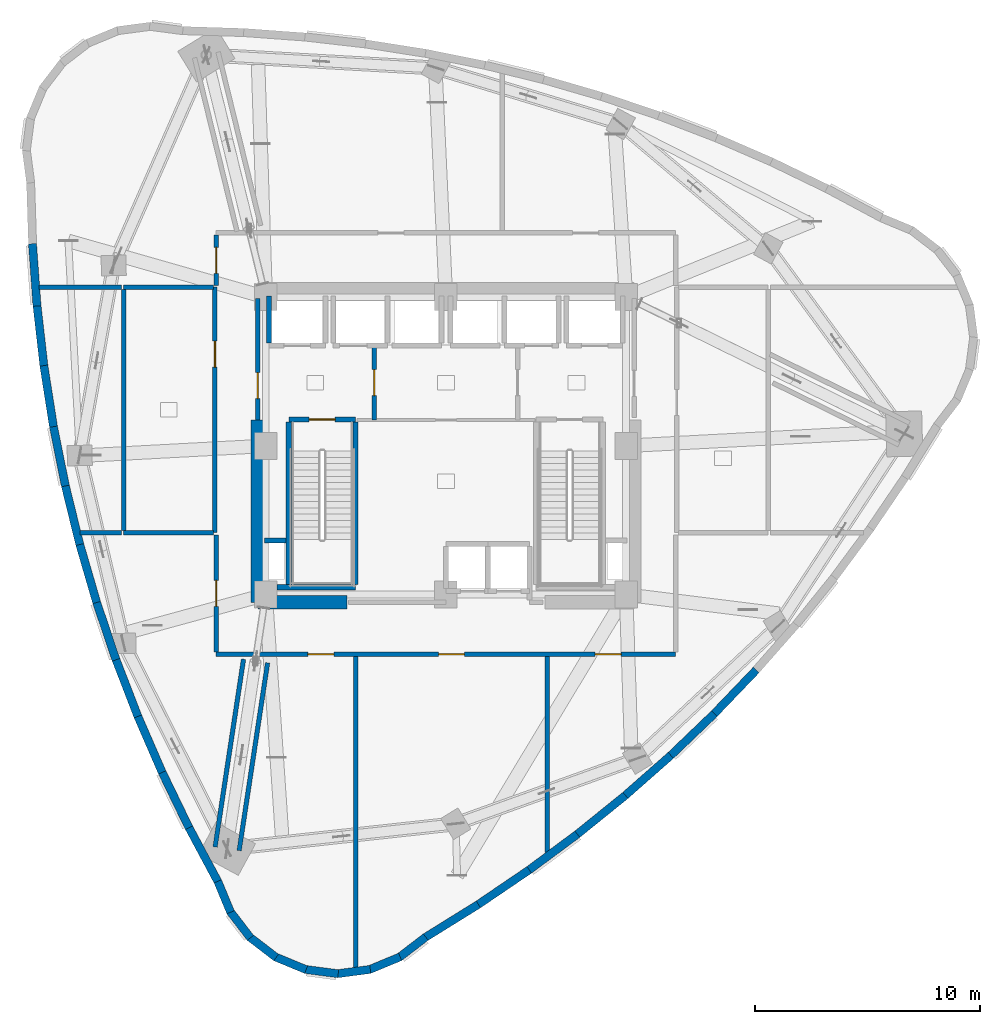
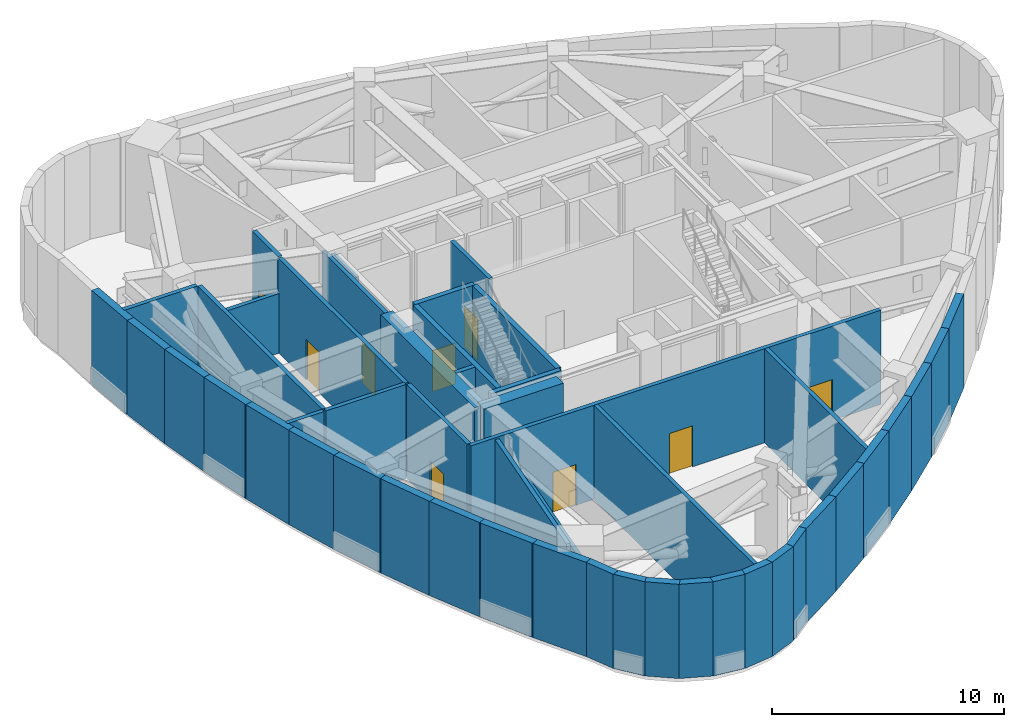
# One storey, part 7 of 12: 49 walls, 9 doors, 9 openings.
"""IFC4 building model written with IfcOpenShell, lengths in metres."""

import ifcopenshell
import ifcopenshell.guid

model = None  # the IFC model being written
_history = None  # IfcOwnerHistory: only IFC2X3 demands one
_inside = {}  # id of a spatial element -> (the spatial element, [elements in it])
_under = {}  # id of a project, library or spatial element -> (it, [spatial elements below it])
_declared = {}  # id of a project -> (the project, [libraries it declares])
_typed = {}  # id of a type object -> (the type object, [elements of that type])
_made_of = {}  # id of a material, layer set ... -> (it, [elements and type objects made of it])


def new_model(schema):
    """Start an empty IFC model of exactly this schema.

    Asked for "IFC4X3", IfcOpenShell would pick the latest addendum, in which some entities
    have other attributes; the version numbers below select the first issue.
    IFC2X3 requires an IfcOwnerHistory on every rooted entity: one is made here for all.
    """
    global model, _history
    if schema == "IFC4X3":
        model = ifcopenshell.file(schema_version=(4, 3, 0, 0))
    else:
        model = ifcopenshell.file(schema=schema)
    _inside.clear()
    _under.clear()
    _declared.clear()
    _typed.clear()
    _made_of.clear()
    _history = None
    if model.schema == "IFC2X3":
        org = make("IfcOrganization", Name="unknown")
        user = make(
            "IfcPersonAndOrganization",
            ThePerson=make("IfcPerson", FamilyName="unknown"),
            TheOrganization=org,
        )
        app = make(
            "IfcApplication",
            ApplicationDeveloper=org,
            Version="unknown",
            ApplicationFullName="unknown",
            ApplicationIdentifier="unknown",
        )
        _history = make(
            "IfcOwnerHistory",
            OwningUser=user,
            OwningApplication=app,
            ChangeAction="ADDED",
            CreationDate=0,
        )
    return model


def make(cls, **values):
    """One entity of the class cls with the attributes given. An attribute that is None is left unset."""
    return model.create_entity(
        cls, **{name: value for name, value in values.items() if value is not None}
    )


def rooted(cls, **values):
    """An entity with a GlobalId (a new one), such as an element, a storey or a relation."""
    return make(cls, GlobalId=ifcopenshell.guid.new(), OwnerHistory=_history, **values)


def si_unit(unit_type, name, prefix=None):
    """IfcSIUnit, for example si_unit("LENGTHUNIT", "METRE", prefix="MILLI")."""
    return make("IfcSIUnit", UnitType=unit_type, Prefix=prefix, Name=name)


def assignment(units):
    """IfcUnitAssignment: the units of a project."""
    return None if units is None else make("IfcUnitAssignment", Units=units)


def point(xyz):
    """IfcCartesianPoint."""
    return None if xyz is None else make("IfcCartesianPoint", Coordinates=xyz)


def direction(xyz):
    """IfcDirection."""
    return None if xyz is None else make("IfcDirection", DirectionRatios=xyz)


def frame(location, z_axis=None, x_axis=None):
    """IfcAxis2Placement3D, a coordinate frame: its origin and axes. An axis left out is left unset."""
    return make(
        "IfcAxis2Placement3D",
        Location=point(location),
        Axis=direction(z_axis),
        RefDirection=direction(x_axis),
    )


def frame_2d(location, x_axis=None):
    """IfcAxis2Placement2D, a coordinate frame in the plane: its origin and x axis."""
    return make(
        "IfcAxis2Placement2D", Location=point(location), RefDirection=direction(x_axis)
    )


def origin():
    """The frame at (0, 0, 0) with its axes left unset."""
    return frame((0.0, 0.0, 0.0))


def place(relative_to, where):
    """IfcLocalPlacement: puts the frame where relative to a parent placement (None: the world)."""
    return make(
        "IfcLocalPlacement", PlacementRelTo=relative_to, RelativePlacement=where
    )


def context(
    kind, dimensions, precision=None, world=None, true_north=None, identifier=None
):
    """IfcGeometricRepresentationContext, for example the 3D "Model" context."""
    return make(
        "IfcGeometricRepresentationContext",
        ContextIdentifier=identifier,
        ContextType=kind,
        CoordinateSpaceDimension=dimensions,
        Precision=precision,
        WorldCoordinateSystem=world,
        TrueNorth=true_north,
    )


def subcontext(parent, identifier, kind, view, scale=None):
    """IfcGeometricRepresentationSubContext, for example "Body" below "Model"."""
    return make(
        "IfcGeometricRepresentationSubContext",
        ContextIdentifier=identifier,
        ContextType=kind,
        ParentContext=parent,
        TargetScale=scale,
        TargetView=view,
    )


def project(units=None, contexts=None):
    """IfcProject with its units and contexts."""
    return rooted(
        "IfcProject",
        Name="project",
        RepresentationContexts=contexts,
        UnitsInContext=assignment(units),
    )


def spatial(cls, under=None, at=None, **own):
    """A site, building, storey or space (cls), placed at a placement, below another one or the project."""
    s = rooted(cls, ObjectPlacement=at, **own)
    if under is not None:
        _under.setdefault(under.id(), (under, []))[1].append(s)
    return s


def profile(cls, at=None, kind="AREA", **sizes):
    """A parametric profile (cls). Its sizes go by their IFC names, for example OverallWidth=200.0."""
    return make(cls, ProfileType=kind, Position=at, **sizes)


def rectangle(**sizes):
    """IfcRectangleProfileDef."""
    return profile("IfcRectangleProfileDef", **sizes)


def extrude(swept, where, along, depth):
    """IfcExtrudedAreaSolid: the profile swept, set in the frame where, extruded along a direction by depth."""
    return make(
        "IfcExtrudedAreaSolid",
        SweptArea=swept,
        Position=where,
        ExtrudedDirection=direction(along),
        Depth=depth,
    )


def shape(context_of_items, identifier, shape_type, items):
    """IfcShapeRepresentation: the items that make up one representation, for example the "Body"."""
    return make(
        "IfcShapeRepresentation",
        ContextOfItems=context_of_items,
        RepresentationIdentifier=identifier,
        RepresentationType=shape_type,
        Items=items,
    )


def material(Name=None, Category=None):
    """IfcMaterial."""
    return make("IfcMaterial", Name=Name, Category=Category)


def layer(
    of_material, thickness, ventilated=None, Name=None, Category=None, Priority=None
):
    """IfcMaterialLayer: one layer of a wall or slab, of a material (None: an air gap)."""
    return make(
        "IfcMaterialLayer",
        Material=of_material,
        LayerThickness=thickness,
        IsVentilated=ventilated,
        Name=Name,
        Category=Category,
        Priority=Priority,
    )


def layer_set(layers, Name=None):
    """IfcMaterialLayerSet."""
    return make("IfcMaterialLayerSet", MaterialLayers=layers, LayerSetName=Name)


def made_of(thing, what):
    """Note that an element or type object is made of a material, layer set ...; save() writes the relation."""
    if what is not None:
        _made_of.setdefault(what.id(), (what, []))[1].append(thing)
    return thing


def type_object(cls, material=None, **own):
    """A type object (cls), such as IfcWallType, which elements share."""
    return made_of(rooted(cls, **own), material)


def element(
    cls,
    number,
    at=None,
    inside=None,
    cuts=None,
    type_object=None,
    material=None,
    context=None,
    identifier="Body",
    shape_type=None,
    held_by="IfcProductDefinitionShape",
    body=None,
    shapes=None,
    **own,
):
    """One element of the class cls, such as IfcWall. Its Tag is "e" and its number.

    at: its placement. inside: the storey or other place that contains it. cuts: it is an
    opening in that element (IfcRelVoidsElement). A single representation is given by context,
    identifier, shape_type and body (its items); several are given by shapes. held_by: the class
    of the entity that holds the representations. save() writes the other relations.
    """
    e = rooted(cls, Tag="e%d" % number, ObjectPlacement=at, **own)
    if body is not None:
        shapes = [shape(context, identifier, shape_type, body)]
    if shapes is not None:
        e.Representation = make(held_by, Representations=shapes)
    if inside is not None:
        _inside.setdefault(inside.id(), (inside, []))[1].append(e)
    if cuts is not None:
        rooted(
            "IfcRelVoidsElement", RelatingBuildingElement=cuts, RelatedOpeningElement=e
        )
    if type_object is not None:
        _typed.setdefault(type_object.id(), (type_object, []))[1].append(e)
    return made_of(e, material)


def fill(opening, filler):
    """IfcRelFillsElement: the door or window that sits in an opening."""
    return rooted(
        "IfcRelFillsElement",
        RelatingOpeningElement=opening,
        RelatedBuildingElement=filler,
    )


def aggregate(whole, parts):
    """IfcRelAggregates: a whole, such as a stair, and the parts it consists of."""
    return rooted("IfcRelAggregates", RelatingObject=whole, RelatedObjects=parts)


def save(model, path):
    """Write the relations noted so far, then the file.

    IfcRelAggregates (storeys below a building ...), IfcRelContainedInSpatialStructure (elements
    in a storey), IfcRelDefinesByType, IfcRelAssociatesMaterial and IfcRelDeclares: one each for
    every whole, place, type object, material and project.
    """
    for whole, parts in _under.values():
        aggregate(whole, parts)
    for where, things in _inside.values():
        rooted(
            "IfcRelContainedInSpatialStructure",
            RelatedElements=things,
            RelatingStructure=where,
        )
    for kind, things in _typed.values():
        rooted("IfcRelDefinesByType", RelatedObjects=things, RelatingType=kind)
    for what, things in _made_of.values():
        rooted("IfcRelAssociatesMaterial", RelatedObjects=things, RelatingMaterial=what)
    for by, libraries in _declared.values():
        rooted("IfcRelDeclares", RelatingContext=by, RelatedDefinitions=libraries)
    model.write(path)


model = new_model("IFC4")

# Units and contexts
model_context = context("Model", 3, precision=1e-05, world=origin(), true_north=direction((0.0, 1.0)))
body_context = subcontext(model_context, "Body", "Model", "MODEL_VIEW")
ifc_project = project(units=[si_unit("LENGTHUNIT", "METRE"), si_unit("AREAUNIT", "SQUARE_METRE"), si_unit("VOLUMEUNIT", "CUBIC_METRE"), si_unit("PLANEANGLEUNIT", "RADIAN"), si_unit("MASSUNIT", "GRAM", prefix="KILO")], contexts=[model_context])

# Site, building, storey
site_placement = place(None, origin())
site = spatial("IfcSite", under=ifc_project, at=site_placement, CompositionType="ELEMENT")
building_placement = place(site_placement, origin())
building = spatial("IfcBuilding", under=site, at=building_placement, Name="Ndelora Gate Hotel", CompositionType="ELEMENT")
storey_placement = place(building_placement, frame((0.0, 0.0, 168.5)))
storey = spatial("IfcBuildingStorey", under=building, at=storey_placement, Name="L42", CompositionType="ELEMENT", Elevation=168.5)

# Walls
ifc_material_1 = material(Name="Clay Brick Masonry", Category="masonry")
ifc_layer_1 = layer(ifc_material_1, 0.360107421875)
ifc_layer_set_1 = layer_set([ifc_layer_1], Name="Clay Brick Masonry")
wall_type_1 = type_object("IfcWallType", Name="WL-BRICK-360", PredefinedType="SOLIDWALL", material=ifc_layer_set_1)
wall_1_placement = place(storey_placement, frame((-18.148193359375, 6.20556640625, 0.0), z_axis=(0.0, 0.0, 1.0), x_axis=(-0.072696268479, 0.99735412595, 0.0)))
element("IfcWall", 1, at=wall_1_placement, inside=storey, type_object=wall_type_1, Name="L42 Tower Brick Pier-and-Spandrel Wall TWR-10", PredefinedType="SOLIDWALL", context=body_context, shape_type="SweptSolid", body=[
    extrude(rectangle(XDim=2.77734375, YDim=0.360107421875, at=frame_2d((1.388671875, 0.0))), origin(), (0.0, 0.0, 1.0), 4.9599609375),
])
wall_2_placement = place(storey_placement, frame((-17.8388671875, 3.514892578125, 0.0), z_axis=(0.0, 0.0, 1.0), x_axis=(-0.113821168163, 0.993501253989, 0.0)))
element("IfcWall", 2, at=wall_2_placement, inside=storey, type_object=wall_type_1, Name="L42 Tower Brick Pier-and-Spandrel Wall TWR-11", PredefinedType="SOLIDWALL", context=body_context, shape_type="SweptSolid", body=[
    extrude(rectangle(XDim=2.75830078125, YDim=0.360107421875, at=frame_2d((1.379150390625, 0.0))), origin(), (0.0, 0.0, 1.0), 4.9599609375),
])
wall_3_placement = place(storey_placement, frame((-17.41943359375, 0.853515625, 0.0), z_axis=(0.0, 0.0, 1.0), x_axis=(-0.155332095659, 0.987862308249, 0.0)))
element("IfcWall", 3, at=wall_3_placement, inside=storey, type_object=wall_type_1, Name="L42 Tower Brick Pier-and-Spandrel Wall TWR-12", PredefinedType="SOLIDWALL", context=body_context, shape_type="SweptSolid", body=[
    extrude(rectangle(XDim=2.744140625, YDim=0.360107421875, at=frame_2d((1.3720703125, 0.0))), origin(), (0.0, 0.0, 1.0), 4.9599609375),
])
wall_4_placement = place(storey_placement, frame((-16.89013671875, -1.778076171875, 0.0), z_axis=(0.0, 0.0, 1.0), x_axis=(-0.196785732326, 0.980446518456, 0.0)))
element("IfcWall", 4, at=wall_4_placement, inside=storey, type_object=wall_type_1, Name="L42 Tower Brick Pier-and-Spandrel Wall TWR-13", PredefinedType="SOLIDWALL", context=body_context, shape_type="SweptSolid", body=[
    extrude(rectangle(XDim=2.734375, YDim=0.360107421875, at=frame_2d((1.3671875, 0.0))), origin(), (0.0, 0.0, 1.0), 4.9599609375),
])
wall_5_placement = place(storey_placement, frame((-16.250732421875, -4.38037109375, 0.0), z_axis=(0.0, 0.0, 1.0), x_axis=(-0.238261320948, 0.97120108265, 0.0)))
element("IfcWall", 5, at=wall_5_placement, inside=storey, type_object=wall_type_1, Name="L42 Tower Brick Pier-and-Spandrel Wall TWR-14", PredefinedType="SOLIDWALL", context=body_context, shape_type="SweptSolid", body=[
    extrude(rectangle(XDim=2.729736328125, YDim=0.360107421875, at=frame_2d((1.36474609375, 0.0))), origin(), (0.0, 0.0, 1.0), 4.9599609375),
])
wall_6_placement = place(storey_placement, frame((-15.501220703125, -6.952880859375, 0.0), z_axis=(0.0, 0.0, 1.0), x_axis=(-0.279337037744, 0.960193115651, 0.0)))
element("IfcWall", 6, at=wall_6_placement, inside=storey, type_object=wall_type_1, Name="L42 Tower Brick Pier-and-Spandrel Wall TWR-15", PredefinedType="SOLIDWALL", context=body_context, shape_type="SweptSolid", body=[
    extrude(rectangle(XDim=2.7294921875, YDim=0.360107421875, at=frame_2d((1.36474609375, 0.0))), origin(), (0.0, 0.0, 1.0), 4.9599609375),
])
wall_7_placement = place(storey_placement, frame((-14.641845703125, -9.49609375, 0.0), z_axis=(0.0, 0.0, 1.0), x_axis=(-0.319814713145, 0.947480104939, 0.0)))
element("IfcWall", 7, at=wall_7_placement, inside=storey, type_object=wall_type_1, Name="L42 Tower Brick Pier-and-Spandrel Wall TWR-16", PredefinedType="SOLIDWALL", context=body_context, shape_type="SweptSolid", body=[
    extrude(rectangle(XDim=2.734375, YDim=0.360107421875, at=frame_2d((1.3671875, 0.0))), origin(), (0.0, 0.0, 1.0), 4.9599609375),
])
wall_8_placement = place(storey_placement, frame((-13.672607421875, -12.009521484375, 0.0), z_axis=(0.0, 0.0, 1.0), x_axis=(-0.359485854837, 0.933150534572, 0.0)))
element("IfcWall", 8, at=wall_8_placement, inside=storey, type_object=wall_type_1, Name="L42 Tower Brick Pier-and-Spandrel Wall TWR-17", PredefinedType="SOLIDWALL", context=body_context, shape_type="SweptSolid", body=[
    extrude(rectangle(XDim=2.74365234375, YDim=0.360107421875, at=frame_2d((1.371826171875, 0.0))), origin(), (0.0, 0.0, 1.0), 4.9599609375),
])
wall_9_placement = place(storey_placement, frame((-12.59326171875, -14.49365234375, 0.0), z_axis=(0.0, 0.0, 1.0), x_axis=(-0.398198513898, 0.917299266068, 0.0)))
element("IfcWall", 9, at=wall_9_placement, inside=storey, type_object=wall_type_1, Name="L42 Tower Brick Pier-and-Spandrel Wall TWR-18", PredefinedType="SOLIDWALL", context=body_context, shape_type="SweptSolid", body=[
    extrude(rectangle(XDim=2.75830078125, YDim=0.360107421875, at=frame_2d((1.379150390625, 0.0))), origin(), (0.0, 0.0, 1.0), 4.9599609375),
])
wall_10_placement = place(storey_placement, frame((-11.40380859375, -16.948486328125, 0.0), z_axis=(0.0, 0.0, 1.0), x_axis=(-0.435680386174, 0.900101439341, 0.0)))
element("IfcWall", 10, at=wall_10_placement, inside=storey, type_object=wall_type_1, Name="L42 Tower Brick Pier-and-Spandrel Wall TWR-19", PredefinedType="SOLIDWALL", context=body_context, shape_type="SweptSolid", body=[
    extrude(rectangle(XDim=2.77783203125, YDim=0.360107421875, at=frame_2d((1.388916015625, 0.0))), origin(), (0.0, 0.0, 1.0), 4.9599609375),
])
wall_11_placement = place(storey_placement, frame((-10.1044921875, -19.373291015625, 0.0), z_axis=(0.0, 0.0, 1.0), x_axis=(-0.471967430335, 0.881615984827, 0.0)))
element("IfcWall", 11, at=wall_11_placement, inside=storey, type_object=wall_type_1, Name="L42 Tower Brick Pier-and-Spandrel Wall TWR-20", PredefinedType="SOLIDWALL", context=body_context, shape_type="SweptSolid", body=[
    extrude(rectangle(XDim=2.801025390625, YDim=0.360107421875, at=frame_2d((1.400390625, 0.0))), origin(), (0.0, 0.0, 1.0), 4.9599609375),
])
for number, where, z_axis, x_axis, name in (
    (12, (-9.557373046875, -20.700927734375, 0.0), (0.0, 0.0, 1.0), (-0.382724298331, 0.923862604215, 0.0), "L42 Tower Brick Pier-and-Spandrel Wall TWR-21"),
    (13, (-8.677734375, -21.8369140625, 0.0), (0.0, 0.0, 1.0), (-0.608693709101, 0.793405299012, 0.0), "L42 Tower Brick Pier-and-Spandrel Wall TWR-22"),
):
    element("IfcWall", number, at=place(storey_placement, frame(where, z_axis=z_axis, x_axis=x_axis)), inside=storey, type_object=wall_type_1, Name=name, PredefinedType="SOLIDWALL", context=body_context, shape_type="SweptSolid", body=[
        extrude(rectangle(XDim=1.485595703125, YDim=0.360107421875, at=frame_2d((0.74267578125, 0.0))), origin(), (0.0, 0.0, 1.0), 4.9599609375),
    ])
for number, where, z_axis, x_axis, name in (
    (14, (-7.533935546875, -22.706298828125, 0.0), (0.0, 0.0, 1.0), (-0.793325936538, 0.608797140611, 0.0), "L42 Tower Brick Pier-and-Spandrel Wall TWR-23"),
    (15, (-6.2041015625, -23.25, 0.0), (0.0, 0.0, 1.0), (-0.923886669429, 0.382666201867, 0.0), "L42 Tower Brick Pier-and-Spandrel Wall TWR-24"),
    (16, (-4.779052734375, -23.43115234375, 0.0), (0.0, 0.0, 1.0), (-0.991453176983, 0.130463013345, 0.0), "L42 Tower Brick Pier-and-Spandrel Wall TWR-25"),
    (17, (-3.35546875, -23.2373046875, 0.0), (0.0, 0.0, 1.0), (-0.991453176983, -0.130463013345, 0.0), "L42 Tower Brick Pier-and-Spandrel Wall TWR-26"),
):
    element("IfcWall", number, at=place(storey_placement, frame(where, z_axis=z_axis, x_axis=x_axis)), inside=storey, type_object=wall_type_1, Name=name, PredefinedType="SOLIDWALL", context=body_context, shape_type="SweptSolid", body=[
        extrude(rectangle(XDim=1.48583984375, YDim=0.360107421875, at=frame_2d((0.742919921875, 0.0))), origin(), (0.0, 0.0, 1.0), 4.9599609375),
    ])
for number, where, z_axis, x_axis, name in (
    (18, (-2.03076171875, -22.681396484375, 0.0), (0.0, 0.0, 1.0), (-0.923862604215, -0.382724298331, 0.0), "L42 Tower Brick Pier-and-Spandrel Wall TWR-27"),
    (19, (-0.89501953125, -21.8017578125, 0.0), (0.0, 0.0, 1.0), (-0.793265022902, -0.608876509188, 0.0), "L42 Tower Brick Pier-and-Spandrel Wall TWR-28"),
):
    element("IfcWall", number, at=place(storey_placement, frame(where, z_axis=z_axis, x_axis=x_axis)), inside=storey, type_object=wall_type_1, Name=name, PredefinedType="SOLIDWALL", context=body_context, shape_type="SweptSolid", body=[
        extrude(rectangle(XDim=1.485595703125, YDim=0.360107421875, at=frame_2d((0.74267578125, 0.0))), origin(), (0.0, 0.0, 1.0), 4.9599609375),
    ])
wall_12_placement = place(storey_placement, frame((1.443603515625, -20.352294921875, 0.0), z_axis=(0.0, 0.0, 1.0), x_axis=(-0.849493339842, -0.527599341891, 0.0)))
element("IfcWall", 20, at=wall_12_placement, inside=storey, type_object=wall_type_1, Name="L42 Tower Brick Pier-and-Spandrel Wall TWR-29", PredefinedType="SOLIDWALL", context=body_context, shape_type="SweptSolid", body=[
    extrude(rectangle(XDim=2.801025390625, YDim=0.360107421875, at=frame_2d((1.400390625, 0.0))), origin(), (0.0, 0.0, 1.0), 4.9599609375),
])
wall_13_placement = place(storey_placement, frame((3.699951171875, -18.819580078125, 0.0), z_axis=(0.0, 0.0, 1.0), x_axis=(-0.827369285824, -0.56165831684, 0.0)))
element("IfcWall", 21, at=wall_13_placement, inside=storey, type_object=wall_type_1, Name="L42 Tower Brick Pier-and-Spandrel Wall TWR-30", PredefinedType="SOLIDWALL", context=body_context, shape_type="SweptSolid", body=[
    extrude(rectangle(XDim=2.777587890625, YDim=0.360107421875, at=frame_2d((1.388671875, 0.0))), origin(), (0.0, 0.0, 1.0), 4.9599609375),
])
wall_14_placement = place(storey_placement, frame((5.87548828125, -17.206298828125, 0.0), z_axis=(0.0, 0.0, 1.0), x_axis=(-0.803448998503, -0.595373585914, 0.0)))
element("IfcWall", 22, at=wall_14_placement, inside=storey, type_object=wall_type_1, Name="L42 Tower Brick Pier-and-Spandrel Wall TWR-31", PredefinedType="SOLIDWALL", context=body_context, shape_type="SweptSolid", body=[
    extrude(rectangle(XDim=2.758544921875, YDim=0.360107421875, at=frame_2d((1.37939453125, 0.0))), origin(), (0.0, 0.0, 1.0), 4.9599609375),
])
wall_15_placement = place(storey_placement, frame((7.970458984375, -15.5126953125, 0.0), z_axis=(0.0, 0.0, 1.0), x_axis=(-0.777882632103, -0.628409588304, 0.0)))
element("IfcWall", 23, at=wall_15_placement, inside=storey, type_object=wall_type_1, Name="L42 Tower Brick Pier-and-Spandrel Wall TWR-32", PredefinedType="SOLIDWALL", context=body_context, shape_type="SweptSolid", body=[
    extrude(rectangle(XDim=2.743896484375, YDim=0.360107421875, at=frame_2d((1.3720703125, 0.0))), origin(), (0.0, 0.0, 1.0), 4.9599609375),
])
wall_16_placement = place(storey_placement, frame((9.985107421875, -13.73828125, 0.0), z_axis=(0.0, 0.0, 1.0), x_axis=(-0.750709974909, -0.660631919886, 0.0)))
element("IfcWall", 24, at=wall_16_placement, inside=storey, type_object=wall_type_1, Name="L42 Tower Brick Pier-and-Spandrel Wall TWR-33", PredefinedType="SOLIDWALL", context=body_context, shape_type="SweptSolid", body=[
    extrude(rectangle(XDim=2.734619140625, YDim=0.360107421875, at=frame_2d((1.3671875, 0.0))), origin(), (0.0, 0.0, 1.0), 4.9599609375),
])
for number, where, z_axis, x_axis, name in (
    (25, (11.918701171875, -11.88330078125, 0.0), (0.0, 0.0, 1.0), (-0.721885804414, -0.692012200316, 0.0), "L42 Tower Brick Pier-and-Spandrel Wall TWR-34"),
    (26, (13.772216796875, -9.9482421875, 0.0), (0.0, 0.0, 1.0), (-0.692012200316, -0.721885804414, 0.0), "L42 Tower Brick Pier-and-Spandrel Wall TWR-35"),
):
    element("IfcWall", number, at=place(storey_placement, frame(where, z_axis=z_axis, x_axis=x_axis)), inside=storey, type_object=wall_type_1, Name=name, PredefinedType="SOLIDWALL", context=body_context, shape_type="SweptSolid", body=[
        extrude(rectangle(XDim=2.7294921875, YDim=0.360107421875, at=frame_2d((1.36474609375, 0.0))), origin(), (0.0, 0.0, 1.0), 4.9599609375),
    ])
ifc_material_2 = material(Name="Concrete C60/75", Category="concrete")
ifc_layer_2 = layer(ifc_material_2, 0.60009765625)
ifc_layer_set_2 = layer_set([ifc_layer_2], Name="Concrete C60/75")
wall_type_2 = type_object("IfcWallType", Name="WL-CORE-600", PredefinedType="SHEAR", material=ifc_layer_set_2)
wall_17_placement = place(storey_placement, frame((-8.35009765625, -6.949951171875, 0.0), z_axis=(0.0, 0.0, 1.0), x_axis=(1.0, 0.0, 0.0)))
element("IfcWall", 27, at=wall_17_placement, inside=storey, type_object=wall_type_2, Name="L42 Core Shear Wall S-W", PredefinedType="SHEAR", context=body_context, shape_type="SweptSolid", body=[
    extrude(rectangle(XDim=3.9501953125, YDim=0.60009765625, at=frame_2d((1.97509765625, 0.0))), origin(), (0.0, 0.0, 1.0), 4.9599609375),
])
wall_18_placement = place(storey_placement, frame((-8.35009765625, -6.949951171875, 0.0), z_axis=(0.0, 0.0, 1.0), x_axis=(0.0, 1.0, 0.0)))
element("IfcWall", 28, at=wall_18_placement, inside=storey, type_object=wall_type_2, Name="L42 Core Shear Wall W", PredefinedType="SHEAR", context=body_context, shape_type="SweptSolid", body=[
    extrude(rectangle(XDim=8.099853515625, YDim=0.60009765625, at=frame_2d((4.0498046875, 0.0))), origin(), (0.0, 0.0, 1.0), 4.9599609375),
])

# Wall, opening, door
ifc_material_3 = material(Name="Concrete C40/50", Category="concrete")
ifc_layer_3 = layer(ifc_material_3, 0.199951171875)
ifc_layer_set_3 = layer_set([ifc_layer_3], Name="Concrete C40/50")
wall_type_3 = type_object("IfcWallType", Name="WL-FIRE-200", PredefinedType="PARTITIONING", material=ifc_layer_set_3)
wall_19_placement = place(storey_placement, frame((-3.179931640625, 1.14990234375, 0.0), z_axis=(0.0, 0.0, 1.0), x_axis=(0.0, 1.0, 0.0)))
wall_19 = element("IfcWall", 29, at=wall_19_placement, inside=storey, type_object=wall_type_3, Name="L42 Interior Wall IW-2", PredefinedType="PARTITIONING", context=body_context, shape_type="SweptSolid", body=[
    extrude(rectangle(XDim=3.300048828125, YDim=0.199951171875, at=frame_2d((1.64990234375, 0.0))), origin(), (0.0, 0.0, 1.0), 4.9599609375),
])
opening_1_placement = place(wall_19_placement, frame((1.080078125, 0.0, 0.0)))
opening_1 = element("IfcOpeningElement", 30, at=opening_1_placement, cuts=wall_19, Name="Opening FD1", PredefinedType="OPENING", context=body_context, shape_type="SweptSolid", body=[
    extrude(rectangle(XDim=1.14990234375, YDim=2.14990234375, at=frame_2d((0.574951171875, 1.074951171875))), frame((0.0, 0.10986328125, 0.0), z_axis=(0.0, -1.0, 0.0), x_axis=(1.0, 0.0, 0.0)), (0.0, 0.0, 1.0), 0.219970703125),
])
ifc_material_4 = material(Name="Fire-Rated Timber-Veneer Steel Core", Category="steel")
door_type = type_object("IfcDoorType", Name="DR-FD60", OperationType="SINGLE_SWING_LEFT", PredefinedType="DOOR", material=ifc_material_4)
door_1_placement = place(opening_1_placement, origin())
door_1 = element("IfcDoor", 31, at=door_1_placement, inside=storey, type_object=door_type, Name="L42 Firefighting Lobby West Door", OperationType="SINGLE_SWING_RIGHT", OverallHeight=2.14990234375, OverallWidth=1.14990234375, PredefinedType="DOOR", context=body_context, shape_type="SweptSolid", body=[
    extrude(rectangle(XDim=1.14990234375, YDim=2.14990234375, at=frame_2d((0.574951171875, 1.074951171875))), frame((0.0, 0.02490234375, 0.0), z_axis=(0.0, -1.0, 0.0), x_axis=(1.0, 0.0, 0.0)), (0.0, 0.0, 1.0), 0.050048828125),
])
fill(opening_1, door_1)

wall_20_placement = place(storey_placement, frame((-8.35009765625, 1.14990234375, 0.0), z_axis=(0.0, 0.0, 1.0), x_axis=(0.0, 1.0, 0.0)))
wall_20 = element("IfcWall", 32, at=wall_20_placement, inside=storey, type_object=wall_type_3, Name="L42 Interior Wall IW-2", PredefinedType="PARTITIONING", context=body_context, shape_type="SweptSolid", body=[
    extrude(rectangle(XDim=5.400146484375, YDim=0.199951171875, at=frame_2d((2.7001953125, 0.0))), origin(), (0.0, 0.0, 1.0), 4.9599609375),
])
opening_2_placement = place(wall_20_placement, frame((0.949951171875, 0.0, 0.0)))
opening_2 = element("IfcOpeningElement", 33, at=opening_2_placement, cuts=wall_20, Name="Opening FD1", PredefinedType="OPENING", context=body_context, shape_type="SweptSolid", body=[
    extrude(rectangle(XDim=1.14990234375, YDim=2.14990234375, at=frame_2d((0.574951171875, 1.074951171875))), frame((0.0, 0.10986328125, 0.0), z_axis=(0.0, -1.0, 0.0), x_axis=(1.0, 0.0, 0.0)), (0.0, 0.0, 1.0), 0.219970703125),
])
door_2_placement = place(opening_2_placement, origin())
door_2 = element("IfcDoor", 34, at=door_2_placement, inside=storey, type_object=door_type, Name="L42 Firefighting Lobby West Corridor Door", OperationType="SINGLE_SWING_LEFT", OverallHeight=2.14990234375, OverallWidth=1.14990234375, PredefinedType="DOOR", context=body_context, shape_type="SweptSolid", body=[
    extrude(rectangle(XDim=1.14990234375, YDim=2.14990234375, at=frame_2d((0.574951171875, 1.074951171875))), frame((0.0, 0.02490234375, 0.0), z_axis=(0.0, -1.0, 0.0), x_axis=(1.0, 0.0, 0.0)), (0.0, 0.0, 1.0), 0.050048828125),
])
fill(opening_2, door_2)

# Walls
wall_21_placement = place(storey_placement, frame((-8.981201171875, -9.468994140625, 0.0), z_axis=(0.0, 0.0, 1.0), x_axis=(-0.149845701527, -0.988709393975, 0.0)))
element("IfcWall", 35, at=wall_21_placement, inside=storey, type_object=wall_type_3, Name="L42 Interior Wall IW-2", PredefinedType="PARTITIONING", context=body_context, shape_type="SweptSolid", body=[
    extrude(rectangle(XDim=8.429931640625, YDim=0.199951171875, at=frame_2d((4.21484375, 0.0))), origin(), (0.0, 0.0, 1.0), 4.9599609375),
])
wall_22_placement = place(storey_placement, frame((-7.913330078125, -9.630859375, 0.0), z_axis=(0.0, 0.0, 1.0), x_axis=(-0.149845701527, -0.988709393975, 0.0)))
element("IfcWall", 36, at=wall_22_placement, inside=storey, type_object=wall_type_3, Name="L42 Interior Wall IW-2", PredefinedType="PARTITIONING", context=body_context, shape_type="SweptSolid", body=[
    extrude(rectangle(XDim=8.429931640625, YDim=0.199951171875, at=frame_2d((4.21484375, 0.0))), origin(), (0.0, 0.0, 1.0), 3.139892578125),
])
wall_23_placement = place(storey_placement, frame((-14.300048828125, -3.75, 0.0), z_axis=(0.0, 0.0, 1.0), x_axis=(0.0, 1.0, 0.0)))
element("IfcWall", 37, at=wall_23_placement, inside=storey, type_object=wall_type_3, Name="L42 Interior Wall IW-2", PredefinedType="PARTITIONING", context=body_context, shape_type="SweptSolid", body=[
    extrude(rectangle(XDim=10.699951171875, YDim=0.199951171875, at=frame_2d((5.35009765625, 0.0))), origin(), (0.0, 0.0, 1.0), 4.9599609375),
])
wall_24_placement = place(storey_placement, frame((-14.300048828125, -3.85009765625, 0.0), z_axis=(0.0, 0.0, 1.0), x_axis=(1.0, 0.0, 0.0)))
element("IfcWall", 38, at=wall_24_placement, inside=storey, type_object=wall_type_3, Name="L42 Interior Wall IW-2", PredefinedType="PARTITIONING", context=body_context, shape_type="SweptSolid", body=[
    extrude(rectangle(XDim=3.97998046875, YDim=0.199951171875, at=frame_2d((1.989990234375, 0.0))), origin(), (0.0, 0.0, 1.0), 4.9599609375),
])
wall_25_placement = place(storey_placement, frame((-10.320068359375, 7.050048828125, 0.0), z_axis=(0.0, 0.0, 1.0), x_axis=(-1.0, 0.0, 0.0)))
element("IfcWall", 39, at=wall_25_placement, inside=storey, type_object=wall_type_3, Name="L42 Interior Wall IW-2", PredefinedType="PARTITIONING", context=body_context, shape_type="SweptSolid", body=[
    extrude(rectangle(XDim=3.97998046875, YDim=0.199951171875, at=frame_2d((1.989990234375, 0.0))), origin(), (0.0, 0.0, 1.0), 3.139892578125),
])

# Wall, opening, door
wall_26_placement = place(storey_placement, frame((-10.25, -3.85009765625, 0.0), z_axis=(0.0, 0.0, 1.0), x_axis=(0.0, 1.0, 0.0)))
wall_26 = element("IfcWall", 40, at=wall_26_placement, inside=storey, type_object=wall_type_3, Name="L42 Interior Wall IW-2", PredefinedType="PARTITIONING", context=body_context, shape_type="SweptSolid", body=[
    extrude(rectangle(XDim=10.900146484375, YDim=0.199951171875, at=frame_2d((5.4501953125, 0.0))), origin(), (0.0, 0.0, 1.0), 4.9599609375),
])
opening_3_placement = place(wall_26_placement, frame((7.35009765625, 0.0, 0.0)))
opening_3 = element("IfcOpeningElement", 41, at=opening_3_placement, cuts=wall_26, Name="Opening FD1", PredefinedType="OPENING", context=body_context, shape_type="SweptSolid", body=[
    extrude(rectangle(XDim=1.14990234375, YDim=2.14990234375, at=frame_2d((0.574951171875, 1.074951171875))), frame((0.0, 0.10986328125, 0.0), z_axis=(0.0, -1.0, 0.0), x_axis=(1.0, 0.0, 0.0)), (0.0, 0.0, 1.0), 0.219970703125),
])
door_3_placement = place(opening_3_placement, origin())
door_3 = element("IfcDoor", 42, at=door_3_placement, inside=storey, type_object=door_type, Name="L42 West Refuge Corridor Fire Door", OperationType="SINGLE_SWING_RIGHT", OverallHeight=2.14990234375, OverallWidth=1.14990234375, PredefinedType="DOOR", context=body_context, shape_type="SweptSolid", body=[
    extrude(rectangle(XDim=1.14990234375, YDim=2.14990234375, at=frame_2d((0.574951171875, 1.074951171875))), frame((0.0, 0.02490234375, 0.0), z_axis=(0.0, -1.0, 0.0), x_axis=(1.0, 0.0, 0.0)), (0.0, 0.0, 1.0), 0.050048828125),
])
fill(opening_3, door_3)

# Walls
wall_27_placement = place(storey_placement, frame((-4.0, -9.35009765625, 0.0), z_axis=(0.0, 0.0, 1.0), x_axis=(0.0, -1.0, 0.0)))
element("IfcWall", 43, at=wall_27_placement, inside=storey, type_object=wall_type_3, Name="L42 Interior Wall IW-2", PredefinedType="PARTITIONING", context=body_context, shape_type="SweptSolid", body=[
    extrude(rectangle(XDim=13.830810546875, YDim=0.199951171875, at=frame_2d((6.91552734375, 0.0))), origin(), (0.0, 0.0, 1.0), 4.9599609375),
])
wall_28_placement = place(storey_placement, frame((4.5, -9.35009765625, 0.0), z_axis=(0.0, 0.0, 1.0), x_axis=(0.0, -1.0, 0.0)))
element("IfcWall", 44, at=wall_28_placement, inside=storey, type_object=wall_type_3, Name="L42 Interior Wall IW-2", PredefinedType="PARTITIONING", context=body_context, shape_type="SweptSolid", body=[
    extrude(rectangle(XDim=8.701171875, YDim=0.199951171875, at=frame_2d((4.3505859375, 0.0))), origin(), (0.0, 0.0, 1.0), 4.9599609375),
])
wall_29_placement = place(storey_placement, frame((-14.39990234375, 7.050048828125, 0.0), z_axis=(0.0, 0.0, 1.0), x_axis=(-1.0, 0.0, 0.0)))
element("IfcWall", 45, at=wall_29_placement, inside=storey, type_object=wall_type_3, Name="L42 Interior Wall IW-2", PredefinedType="PARTITIONING", context=body_context, shape_type="SweptSolid", body=[
    extrude(rectangle(XDim=3.669677734375, YDim=0.199951171875, at=frame_2d((1.8349609375, 0.0))), origin(), (0.0, 0.0, 1.0), 4.9599609375),
])
wall_30_placement = place(storey_placement, frame((-14.39990234375, -3.85009765625, 0.0), z_axis=(0.0, 0.0, 1.0), x_axis=(-1.0, 0.0, 0.0)))
element("IfcWall", 46, at=wall_30_placement, inside=storey, type_object=wall_type_3, Name="L42 Interior Wall IW-2", PredefinedType="PARTITIONING", context=body_context, shape_type="SweptSolid", body=[
    extrude(rectangle(XDim=1.8369140625, YDim=0.199951171875, at=frame_2d((0.91845703125, 0.0))), origin(), (0.0, 0.0, 1.0), 4.9599609375),
])

# Wall, opening, door
wall_31_placement = place(storey_placement, frame((-10.199951171875, 9.35009765625, 0.0), z_axis=(0.0, 0.0, 1.0), x_axis=(0.0, -1.0, 0.0)))
wall_31 = element("IfcWall", 47, at=wall_31_placement, inside=storey, type_object=wall_type_3, Name="L42 Interior Wall IW-2", PredefinedType="PARTITIONING", context=body_context, shape_type="SweptSolid", body=[
    extrude(rectangle(XDim=2.22998046875, YDim=0.199951171875, at=frame_2d((1.114990234375, 0.0))), origin(), (0.0, 0.0, 1.0), 4.9599609375),
])
opening_4_placement = place(wall_31_placement, frame((0.5400390625, 0.0, 0.0)))
opening_4 = element("IfcOpeningElement", 48, at=opening_4_placement, cuts=wall_31, Name="Opening FD1", PredefinedType="OPENING", context=body_context, shape_type="SweptSolid", body=[
    extrude(rectangle(XDim=1.14990234375, YDim=2.14990234375, at=frame_2d((0.574951171875, 1.074951171875))), frame((0.0, 0.10986328125, 0.0), z_axis=(0.0, -1.0, 0.0), x_axis=(1.0, 0.0, 0.0)), (0.0, 0.0, 1.0), 0.219970703125),
])
door_4_placement = place(opening_4_placement, origin())
door_4 = element("IfcDoor", 49, at=door_4_placement, inside=storey, type_object=door_type, Name="L42 Chiller and Heat Rejection Plant Room Fire Door", OperationType="SINGLE_SWING_LEFT", OverallHeight=2.14990234375, OverallWidth=1.14990234375, PredefinedType="DOOR", context=body_context, shape_type="SweptSolid", body=[
    extrude(rectangle(XDim=1.14990234375, YDim=2.14990234375, at=frame_2d((0.574951171875, 1.074951171875))), frame((0.0, 0.02490234375, 0.0), z_axis=(0.0, -1.0, 0.0), x_axis=(1.0, 0.0, 0.0)), (0.0, 0.0, 1.0), 0.050048828125),
])
fill(opening_4, door_4)

wall_32_placement = place(storey_placement, frame((-10.199951171875, -3.949951171875, 0.0), z_axis=(0.0, 0.0, 1.0), x_axis=(0.0, -1.0, 0.0)))
wall_32 = element("IfcWall", 50, at=wall_32_placement, inside=storey, type_object=wall_type_3, Name="L42 Interior Wall IW-2", PredefinedType="PARTITIONING", context=body_context, shape_type="SweptSolid", body=[
    extrude(rectangle(XDim=5.199951171875, YDim=0.199951171875, at=frame_2d((2.60009765625, 0.0))), origin(), (0.0, 0.0, 1.0), 4.9599609375),
])
opening_5_placement = place(wall_32_placement, frame((2.02490234375, 0.0, 0.0)))
opening_5 = element("IfcOpeningElement", 51, at=opening_5_placement, cuts=wall_32, Name="Opening FD1", PredefinedType="OPENING", context=body_context, shape_type="SweptSolid", body=[
    extrude(rectangle(XDim=1.14990234375, YDim=2.14990234375, at=frame_2d((0.574951171875, 1.074951171875))), frame((0.0, 0.10986328125, 0.0), z_axis=(0.0, -1.0, 0.0), x_axis=(1.0, 0.0, 0.0)), (0.0, 0.0, 1.0), 0.219970703125),
])
door_5_placement = place(opening_5_placement, origin())
door_5 = element("IfcDoor", 52, at=door_5_placement, inside=storey, type_object=door_type, Name="L42 Domestic Booster and Fire Pump Room Fire Door", OperationType="SINGLE_SWING_RIGHT", OverallHeight=2.14990234375, OverallWidth=1.14990234375, PredefinedType="DOOR", context=body_context, shape_type="SweptSolid", body=[
    extrude(rectangle(XDim=1.14990234375, YDim=2.14990234375, at=frame_2d((0.574951171875, 1.074951171875))), frame((0.0, 0.02490234375, 0.0), z_axis=(0.0, -1.0, 0.0), x_axis=(1.0, 0.0, 0.0)), (0.0, 0.0, 1.0), 0.050048828125),
])
fill(opening_5, door_5)

# Wall, openings, doors
wall_33_placement = place(storey_placement, frame((-10.199951171875, -9.25, 0.0), z_axis=(0.0, 0.0, 1.0), x_axis=(1.0, 0.0, 0.0)))
wall_33 = element("IfcWall", 53, at=wall_33_placement, inside=storey, type_object=wall_type_3, Name="L42 Interior Wall IW-2", PredefinedType="PARTITIONING", context=body_context, shape_type="SweptSolid", body=[
    extrude(rectangle(XDim=20.39990234375, YDim=0.199951171875, at=frame_2d((10.199951171875, 0.0))), origin(), (0.0, 0.0, 1.0), 4.9599609375),
])
opening_6_placement = place(wall_33_placement, frame((4.074951171875, 0.0, 0.0)))
opening_6 = element("IfcOpeningElement", 54, at=opening_6_placement, cuts=wall_33, Name="Opening FD1", PredefinedType="OPENING", context=body_context, shape_type="SweptSolid", body=[
    extrude(rectangle(XDim=1.14990234375, YDim=2.14990234375, at=frame_2d((0.574951171875, 1.074951171875))), frame((0.0, 0.10986328125, 0.0), z_axis=(0.0, -1.0, 0.0), x_axis=(1.0, 0.0, 0.0)), (0.0, 0.0, 1.0), 0.219970703125),
])
opening_7_placement = place(wall_33_placement, frame((9.875, 0.0, 0.0)))
opening_7 = element("IfcOpeningElement", 55, at=opening_7_placement, cuts=wall_33, Name="Opening FD1", PredefinedType="OPENING", context=body_context, shape_type="SweptSolid", body=[
    extrude(rectangle(XDim=1.14990234375, YDim=2.14990234375, at=frame_2d((0.574951171875, 1.074951171875))), frame((0.0, 0.10986328125, 0.0), z_axis=(0.0, -1.0, 0.0), x_axis=(1.0, 0.0, 0.0)), (0.0, 0.0, 1.0), 0.219970703125),
])
opening_8_placement = place(wall_33_placement, frame((16.824951171875, 0.0, 0.0)))
opening_8 = element("IfcOpeningElement", 56, at=opening_8_placement, cuts=wall_33, Name="Opening FD1", PredefinedType="OPENING", context=body_context, shape_type="SweptSolid", body=[
    extrude(rectangle(XDim=1.14990234375, YDim=2.14990234375, at=frame_2d((0.574951171875, 1.074951171875))), frame((0.0, 0.10986328125, 0.0), z_axis=(0.0, -1.0, 0.0), x_axis=(1.0, 0.0, 0.0)), (0.0, 0.0, 1.0), 0.219970703125),
])
door_6_placement = place(opening_6_placement, origin())
door_6 = element("IfcDoor", 57, at=door_6_placement, inside=storey, type_object=door_type, Name="L42 Domestic Booster and Fire Pump Room Fire Door", OperationType="SINGLE_SWING_LEFT", OverallHeight=2.14990234375, OverallWidth=1.14990234375, PredefinedType="DOOR", context=body_context, shape_type="SweptSolid", body=[
    extrude(rectangle(XDim=1.14990234375, YDim=2.14990234375, at=frame_2d((0.574951171875, 1.074951171875))), frame((0.0, 0.02490234375, 0.0), z_axis=(0.0, -1.0, 0.0), x_axis=(1.0, 0.0, 0.0)), (0.0, 0.0, 1.0), 0.050048828125),
])
fill(opening_6, door_6)
door_7_placement = place(opening_7_placement, origin())
door_7 = element("IfcDoor", 58, at=door_7_placement, inside=storey, type_object=door_type, Name="L42 HV and LV Switchgear Transformer Room Fire Door", OperationType="SINGLE_SWING_LEFT", OverallHeight=2.14990234375, OverallWidth=1.14990234375, PredefinedType="DOOR", context=body_context, shape_type="SweptSolid", body=[
    extrude(rectangle(XDim=1.14990234375, YDim=2.14990234375, at=frame_2d((0.574951171875, 1.074951171875))), frame((0.0, 0.02490234375, 0.0), z_axis=(0.0, -1.0, 0.0), x_axis=(1.0, 0.0, 0.0)), (0.0, 0.0, 1.0), 0.050048828125),
])
fill(opening_7, door_7)
door_8_placement = place(opening_8_placement, origin())
door_8 = element("IfcDoor", 59, at=door_8_placement, inside=storey, type_object=door_type, Name="L42 BMS Control and Telecoms Plant Room Fire Door", OperationType="SINGLE_SWING_RIGHT", OverallHeight=2.14990234375, OverallWidth=1.14990234375, PredefinedType="DOOR", context=body_context, shape_type="SweptSolid", body=[
    extrude(rectangle(XDim=1.14990234375, YDim=2.14990234375, at=frame_2d((0.574951171875, 1.074951171875))), frame((0.0, 0.02490234375, 0.0), z_axis=(0.0, -1.0, 0.0), x_axis=(1.0, 0.0, 0.0)), (0.0, 0.0, 1.0), 0.050048828125),
])
fill(opening_8, door_8)

# Walls
ifc_layer_4 = layer(ifc_material_3, 0.219970703125)
ifc_layer_set_4 = layer_set([ifc_layer_4], Name="Concrete C40/50")
wall_type_4 = type_object("IfcWallType", Name="WL-SHAFT-220", PredefinedType="PARTITIONING", material=ifc_layer_set_4)
wall_34_placement = place(storey_placement, frame((-8.050048828125, -4.199951171875, 0.0), z_axis=(0.0, 0.0, 1.0), x_axis=(1.0, 0.0, 0.0)))
element("IfcWall", 60, at=wall_34_placement, inside=storey, type_object=wall_type_4, Name="L42 Interior Wall IW-1", PredefinedType="PARTITIONING", context=body_context, shape_type="SweptSolid", body=[
    extrude(rectangle(XDim=0.9599609375, YDim=0.219970703125, at=frame_2d((0.47998046875, 0.0))), origin(), (0.0, 0.0, 1.0), 4.9599609375),
])
wall_35_placement = place(storey_placement, frame((-7.85009765625, 4.570068359375, 0.0), z_axis=(0.0, 0.0, 1.0), x_axis=(0.0, 1.0, 0.0)))
element("IfcWall", 61, at=wall_35_placement, inside=storey, type_object=wall_type_4, Name="L42 Interior Wall IW-1", PredefinedType="PARTITIONING", context=body_context, shape_type="SweptSolid", body=[
    extrude(rectangle(XDim=2.079833984375, YDim=0.219970703125, at=frame_2d((1.0400390625, 0.0))), origin(), (0.0, 0.0, 1.0), 4.580078125),
])
ifc_material_5 = material(Name="Concrete C50/60", Category="concrete")
ifc_layer_5 = layer(ifc_material_5, 0.239990234375)
ifc_layer_set_5 = layer_set([ifc_layer_5], Name="Concrete C50/60")
wall_type_5 = type_object("IfcWallType", Name="WL-STAIR-240", PredefinedType="SHEAR", material=ifc_layer_set_5)
wall_36_placement = place(storey_placement, frame((-6.969970703125, -6.159912109375, 0.0), z_axis=(0.0, 0.0, 1.0), x_axis=(0.0, 1.0, 0.0)))
element("IfcWall", 62, at=wall_36_placement, inside=storey, type_object=wall_type_5, Name="L42 Stair Core Shear Wall SW-ST", PredefinedType="SHEAR", context=body_context, shape_type="SweptSolid", body=[
    extrude(rectangle(XDim=7.219970703125, YDim=0.239990234375, at=frame_2d((3.60986328125, 0.0))), origin(), (0.0, 0.0, 1.0), 4.9599609375),
])
wall_37_placement = place(storey_placement, frame((-7.5, -6.27001953125, 0.0), z_axis=(0.0, 0.0, 1.0), x_axis=(1.0, 0.0, 0.0)))
element("IfcWall", 63, at=wall_37_placement, inside=storey, type_object=wall_type_5, Name="L42 Stair Core Shear Wall SW-ST", PredefinedType="SHEAR", context=body_context, shape_type="SweptSolid", body=[
    extrude(rectangle(XDim=3.489990234375, YDim=0.239990234375, at=frame_2d((1.7451171875, 0.0))), origin(), (0.0, 0.0, 1.0), 4.9599609375),
])
wall_38_placement = place(storey_placement, frame((-4.010009765625, -6.159912109375, 0.0), z_axis=(0.0, 0.0, 1.0), x_axis=(0.0, 1.0, 0.0)))
element("IfcWall", 64, at=wall_38_placement, inside=storey, type_object=wall_type_5, Name="L42 Stair Core Shear Wall SW-ST", PredefinedType="SHEAR", context=body_context, shape_type="SweptSolid", body=[
    extrude(rectangle(XDim=7.219970703125, YDim=0.239990234375, at=frame_2d((3.60986328125, 0.0))), origin(), (0.0, 0.0, 1.0), 4.9599609375),
])

# Wall, opening, door
wall_39_placement = place(storey_placement, frame((-6.969970703125, 1.169921875, 0.0), z_axis=(0.0, 0.0, 1.0), x_axis=(1.0, 0.0, 0.0)))
wall_39 = element("IfcWall", 65, at=wall_39_placement, inside=storey, type_object=wall_type_5, Name="L42 Stair Core Shear Wall SW-ST", PredefinedType="SHEAR", context=body_context, shape_type="SweptSolid", body=[
    extrude(rectangle(XDim=2.9599609375, YDim=0.239990234375, at=frame_2d((1.47998046875, 0.0))), origin(), (0.0, 0.0, 1.0), 4.9599609375),
])
opening_9_placement = place(wall_39_placement, frame((0.89990234375, 0.0, 0.0)))
opening_9 = element("IfcOpeningElement", 66, at=opening_9_placement, cuts=wall_39, Name="Opening FD1", PredefinedType="OPENING", context=body_context, shape_type="SweptSolid", body=[
    extrude(rectangle(XDim=1.14990234375, YDim=2.14990234375, at=frame_2d((0.574951171875, 1.074951171875))), frame((0.0, 0.1298828125, 0.0), z_axis=(0.0, -1.0, 0.0), x_axis=(1.0, 0.0, 0.0)), (0.0, 0.0, 1.0), 0.260009765625),
])
door_9_placement = place(opening_9_placement, origin())
door_9 = element("IfcDoor", 67, at=door_9_placement, inside=storey, type_object=door_type, Name="L42 Exit Stair ST4 Door", OperationType="SINGLE_SWING_LEFT", OverallHeight=2.14990234375, OverallWidth=1.14990234375, PredefinedType="DOOR", context=body_context, shape_type="SweptSolid", body=[
    extrude(rectangle(XDim=1.14990234375, YDim=2.14990234375, at=frame_2d((0.574951171875, 1.074951171875))), frame((0.0, 0.02490234375, 0.0), z_axis=(0.0, -1.0, 0.0), x_axis=(1.0, 0.0, 0.0)), (0.0, 0.0, 1.0), 0.050048828125),
])
fill(opening_9, door_9)

save(model, "model.ifc")
